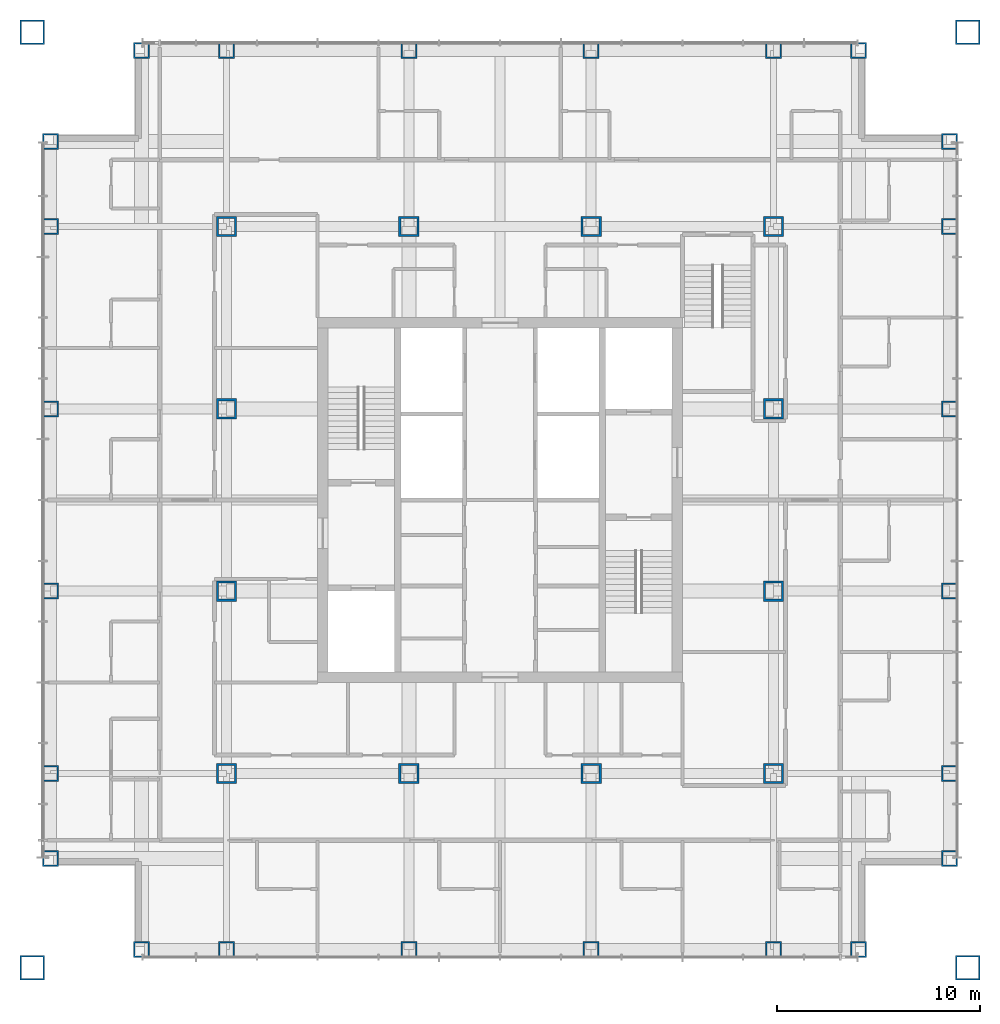
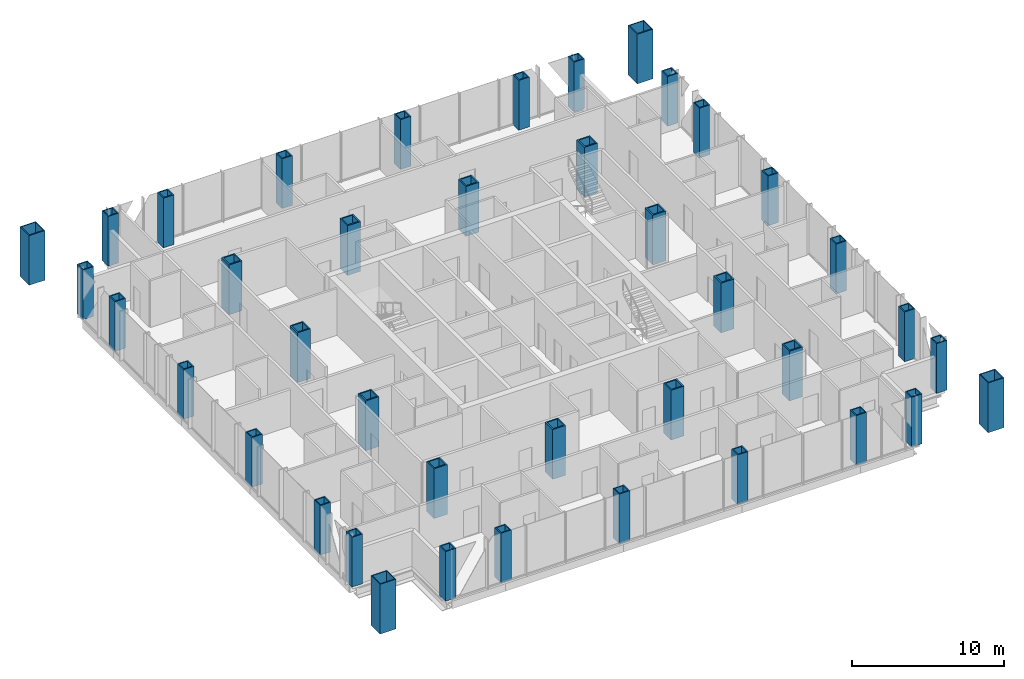
# One storey, part 1 of 15: 40 columns.
"""IFC4 building model written with IfcOpenShell, lengths in metres."""

from ifc_helpers import new_model, si_unit, direction, frame, origin, origin_2d, place, context, subcontext, project, spatial, hollow_rectangle, extrude, material, material_profile, profile_set, type_object, element, save


model = new_model("IFC4")

# Units and contexts
model_context = context("Model", 3, precision=1e-05, world=origin(), true_north=direction((0.0, 1.0)))
body_context = subcontext(model_context, "Body", "Model", "MODEL_VIEW")
ifc_project = project(units=[si_unit("LENGTHUNIT", "METRE"), si_unit("AREAUNIT", "SQUARE_METRE"), si_unit("VOLUMEUNIT", "CUBIC_METRE"), si_unit("PLANEANGLEUNIT", "RADIAN"), si_unit("MASSUNIT", "GRAM", prefix="KILO")], contexts=[model_context])

# Site, building, storey
site_placement = place(None, origin())
site = spatial("IfcSite", under=ifc_project, at=site_placement, CompositionType="ELEMENT")
building_placement = place(site_placement, origin())
building = spatial("IfcBuilding", under=site, at=building_placement, Name="Malebo Sky Hospital", CompositionType="ELEMENT")
storey_placement = place(building_placement, frame((0.0, 0.0, 217.0)))
storey = spatial("IfcBuildingStorey", under=building, at=storey_placement, Name="L52", CompositionType="ELEMENT", Elevation=217.0)

# Columns
ifc_material = material(Name="Steel S460", Category="steel")
ifc_material_profile_1 = material_profile(ifc_material, hollow_rectangle(XDim=1.0, YDim=1.0, WallThickness=0.10009765625, at=origin_2d()), Name="BOX 1000x1000x100")
ifc_profile_set_1 = profile_set([ifc_material_profile_1], Name="Steel S460")
column_type_1 = type_object("IfcColumnType", Name="INNER COLUMN BOX 1000x1000x100", PredefinedType="COLUMN", material=ifc_profile_set_1)
for number, where, z_axis, x_axis, name in (
    (1, (46.5, 48.5, 0.0), (0.0, 0.0, 1.0), (1.0, 0.0, 0.0), "Column IC9 L52"),
    (2, (73.5, 48.5, 0.0), (0.0, 0.0, 1.0), (1.0, 0.0, 0.0), "Column IC9 L52"),
    (3, (73.5, 75.5, 0.0), (0.0, 0.0, 1.0), (1.0, 0.0, 0.0), "Column IC9 L52"),
    (4, (46.5, 75.5, 0.0), (0.0, 0.0, 1.0), (1.0, 0.0, 0.0), "Column IC9 L52"),
    (5, (55.5, 48.5, 0.0), (0.0, 0.0, 1.0), (1.0, 0.0, 0.0), "Column IC9 L52"),
    (6, (64.5, 48.5, 0.0), (0.0, 0.0, 1.0), (1.0, 0.0, 0.0), "Column IC9 L52"),
    (7, (55.5, 75.5, 0.0), (0.0, 0.0, 1.0), (1.0, 0.0, 0.0), "Column IC9 L52"),
    (8, (64.5, 75.5, 0.0), (0.0, 0.0, 1.0), (1.0, 0.0, 0.0), "Column IC9 L52"),
    (9, (46.5, 57.5, 0.0), (0.0, 0.0, 1.0), (1.0, 0.0, 0.0), "Column IC9 L52"),
    (10, (46.5, 66.5, 0.0), (0.0, 0.0, 1.0), (1.0, 0.0, 0.0), "Column IC9 L52"),
    (11, (73.5, 57.5, 0.0), (0.0, 0.0, 1.0), (1.0, 0.0, 0.0), "Column IC9 L52"),
    (12, (73.5, 66.5, 0.0), (0.0, 0.0, 1.0), (1.0, 0.0, 0.0), "Column IC9 L52"),
):
    element("IfcColumn", number, at=place(storey_placement, frame(where, z_axis=z_axis, x_axis=x_axis)), inside=storey, type_object=column_type_1, Name=name, PredefinedType="COLUMN", context=body_context, shape_type="SweptSolid", body=[
        extrude(hollow_rectangle(XDim=1.0, YDim=1.0, WallThickness=0.10009765625, at=origin_2d()), origin(), (0.0, 0.0, 1.0), 4.0),
    ])
ifc_material_profile_2 = material_profile(ifc_material, hollow_rectangle(XDim=1.199951171875, YDim=1.199951171875, WallThickness=0.070068359375, at=origin_2d()), Name="BOX 1200x1200x70")
ifc_profile_set_2 = profile_set([ifc_material_profile_2], Name="Steel S460")
column_type_2 = type_object("IfcColumnType", Name="MEGA COLUMN BOX 1200x1200x70", PredefinedType="COLUMN", material=ifc_profile_set_2)
for number, where, z_axis, x_axis, name in (
    (13, (36.89990234375, 38.89990234375, 0.0), (0.0, 0.0, 1.0), (1.0, 0.0, 0.0), "Mega column SW L52"),
    (14, (83.10009765625, 38.89990234375, 0.0), (0.0, 0.0, 1.0), (1.0, 0.0, 0.0), "Mega column SE L52"),
    (15, (83.10009765625, 85.10009765625, 0.0), (0.0, 0.0, 1.0), (1.0, 0.0, 0.0), "Mega column NE L52"),
    (16, (36.89990234375, 85.10009765625, 0.0), (0.0, 0.0, 1.0), (1.0, 0.0, 0.0), "Mega column NW L52"),
):
    element("IfcColumn", number, at=place(storey_placement, frame(where, z_axis=z_axis, x_axis=x_axis)), inside=storey, type_object=column_type_2, Name=name, PredefinedType="COLUMN", context=body_context, shape_type="SweptSolid", body=[
        extrude(hollow_rectangle(XDim=1.199951171875, YDim=1.199951171875, WallThickness=0.070068359375, at=origin_2d()), origin(), (0.0, 0.0, 1.0), 4.0),
    ])
ifc_material_profile_3 = material_profile(ifc_material, hollow_rectangle(XDim=0.800048828125, YDim=0.800048828125, WallThickness=0.080078125, at=origin_2d()), Name="BOX 800x800x80")
ifc_profile_set_3 = profile_set([ifc_material_profile_3], Name="Steel S460")
column_type_3 = type_object("IfcColumnType", Name="PERIMETER COLUMN BOX 800x800x80", PredefinedType="COLUMN", material=ifc_profile_set_3)
for number, where, z_axis, x_axis, name in (
    (17, (42.300048828125, 39.800048828125, 0.0), (0.0, 0.0, 1.0), (1.0, 0.0, 0.0), "Column PC7 L52"),
    (18, (42.300048828125, 84.199951171875, 0.0), (0.0, 0.0, 1.0), (1.0, 0.0, 0.0), "Column PC7 L52"),
    (19, (37.800048828125, 44.300048828125, 0.0), (0.0, 0.0, 1.0), (1.0, 0.0, 0.0), "Column PC7 L52"),
    (20, (82.199951171875, 44.300048828125, 0.0), (0.0, 0.0, 1.0), (1.0, 0.0, 0.0), "Column PC7 L52"),
    (21, (46.5, 39.800048828125, 0.0), (0.0, 0.0, 1.0), (1.0, 0.0, 0.0), "Column PC7 L52"),
    (22, (46.5, 84.199951171875, 0.0), (0.0, 0.0, 1.0), (1.0, 0.0, 0.0), "Column PC7 L52"),
    (23, (37.800048828125, 48.5, 0.0), (0.0, 0.0, 1.0), (1.0, 0.0, 0.0), "Column PC7 L52"),
    (24, (82.199951171875, 48.5, 0.0), (0.0, 0.0, 1.0), (1.0, 0.0, 0.0), "Column PC7 L52"),
    (25, (55.5, 39.800048828125, 0.0), (0.0, 0.0, 1.0), (1.0, 0.0, 0.0), "Column PC7 L52"),
    (26, (55.5, 84.199951171875, 0.0), (0.0, 0.0, 1.0), (1.0, 0.0, 0.0), "Column PC7 L52"),
    (27, (37.800048828125, 57.5, 0.0), (0.0, 0.0, 1.0), (1.0, 0.0, 0.0), "Column PC7 L52"),
    (28, (82.199951171875, 57.5, 0.0), (0.0, 0.0, 1.0), (1.0, 0.0, 0.0), "Column PC7 L52"),
    (29, (64.5, 39.800048828125, 0.0), (0.0, 0.0, 1.0), (1.0, 0.0, 0.0), "Column PC7 L52"),
    (30, (64.5, 84.199951171875, 0.0), (0.0, 0.0, 1.0), (1.0, 0.0, 0.0), "Column PC7 L52"),
    (31, (37.800048828125, 66.5, 0.0), (0.0, 0.0, 1.0), (1.0, 0.0, 0.0), "Column PC7 L52"),
    (32, (82.199951171875, 66.5, 0.0), (0.0, 0.0, 1.0), (1.0, 0.0, 0.0), "Column PC7 L52"),
    (33, (73.5, 39.800048828125, 0.0), (0.0, 0.0, 1.0), (1.0, 0.0, 0.0), "Column PC7 L52"),
    (34, (73.5, 84.199951171875, 0.0), (0.0, 0.0, 1.0), (1.0, 0.0, 0.0), "Column PC7 L52"),
    (35, (37.800048828125, 75.5, 0.0), (0.0, 0.0, 1.0), (1.0, 0.0, 0.0), "Column PC7 L52"),
    (36, (82.199951171875, 75.5, 0.0), (0.0, 0.0, 1.0), (1.0, 0.0, 0.0), "Column PC7 L52"),
    (37, (77.699951171875, 39.800048828125, 0.0), (0.0, 0.0, 1.0), (1.0, 0.0, 0.0), "Column PC7 L52"),
    (38, (77.699951171875, 84.199951171875, 0.0), (0.0, 0.0, 1.0), (1.0, 0.0, 0.0), "Column PC7 L52"),
    (39, (37.800048828125, 79.699951171875, 0.0), (0.0, 0.0, 1.0), (1.0, 0.0, 0.0), "Column PC7 L52"),
    (40, (82.199951171875, 79.699951171875, 0.0), (0.0, 0.0, 1.0), (1.0, 0.0, 0.0), "Column PC7 L52"),
):
    element("IfcColumn", number, at=place(storey_placement, frame(where, z_axis=z_axis, x_axis=x_axis)), inside=storey, type_object=column_type_3, Name=name, PredefinedType="COLUMN", context=body_context, shape_type="SweptSolid", body=[
        extrude(hollow_rectangle(XDim=0.800048828125, YDim=0.800048828125, WallThickness=0.080078125, at=origin_2d()), origin(), (0.0, 0.0, 1.0), 4.0),
    ])

save(model, "model.ifc")
